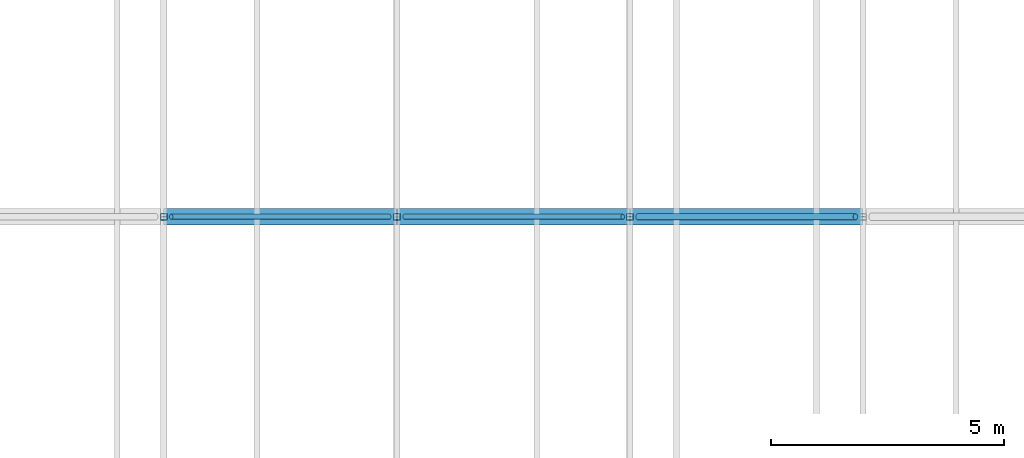
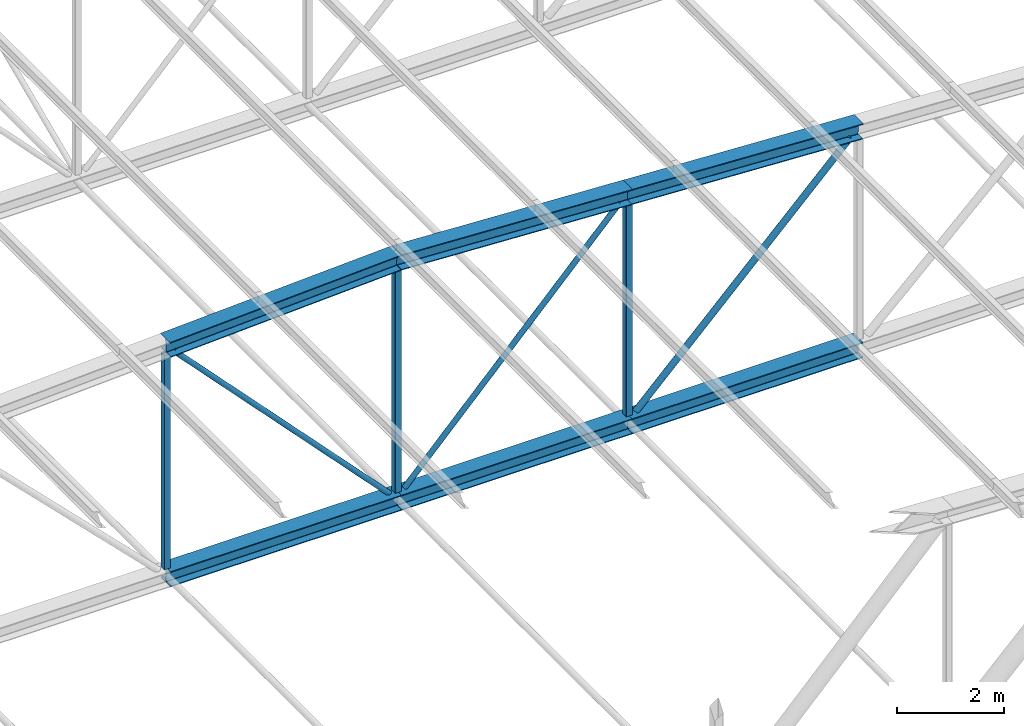
# One storey, part 94 of 156: 12 members.
"""IFC4 building model written with IfcOpenShell, lengths in metres."""

from ifc_helpers import new_model, si_unit, direction, frame, origin, origin_2d, place, context, subcontext, project, spatial, hollow_rectangle, hollow_circle, i_section, extrude, material, material_profile, profile_set, type_object, element, save


model = new_model("IFC4")

# Units and contexts
model_context = context("Model", 3, precision=1e-05, world=origin(), true_north=direction((0.0, 1.0)))
body_context = subcontext(model_context, "Body", "Model", "MODEL_VIEW")
ifc_project = project(units=[si_unit("LENGTHUNIT", "METRE"), si_unit("AREAUNIT", "SQUARE_METRE"), si_unit("VOLUMEUNIT", "CUBIC_METRE"), si_unit("PLANEANGLEUNIT", "RADIAN"), si_unit("MASSUNIT", "GRAM", prefix="KILO")], contexts=[model_context])

# Site, building, storey
site_placement = place(None, origin())
site = spatial("IfcSite", under=ifc_project, at=site_placement, CompositionType="ELEMENT")
building_placement = place(site_placement, origin())
building = spatial("IfcBuilding", under=site, at=building_placement, Name="Lilac Gate Convention Centre", CompositionType="ELEMENT")
storey_placement = place(building_placement, frame((0.0, 0.0, 17.0)))
storey = spatial("IfcBuildingStorey", under=building, at=storey_placement, Name="L03", CompositionType="ELEMENT", Elevation=17.0)

# Members
ifc_material = material(Name="Steel Q355B", Category="steel")
ifc_material_profile_1 = material_profile(ifc_material, i_section(OverallWidth=0.35693359375, OverallDepth=0.35009765625, WebThickness=0.01904296875, FlangeThickness=0.01904296875, FilletRadius=0.012939453125, at=origin_2d()), Name="HW350x357x19x19")
ifc_profile_set_1 = profile_set([ifc_material_profile_1], Name="Steel Q355B")
member_type_1 = type_object("IfcMemberType", Name="Truss bottom chord HW350x357x19x19", PredefinedType="CHORD", material=ifc_profile_set_1)
for number, where, z_axis, x_axis, name in (
    (1, (55.0, 162.0, 0.0), (1.0, 0.0, 0.0), (0.0, 1.0, 0.0), "TB3 truss 12 bottom chord 6"),
    (2, (60.0, 162.0, 0.0), (1.0, 0.0, 0.0), (0.0, 1.0, 0.0), "TB3 truss 12 bottom chord 7"),
    (3, (65.0, 162.0, 0.0), (1.0, 0.0, 0.0), (0.0, 1.0, 0.0), "TB3 truss 12 bottom chord 8"),
):
    element("IfcMember", number, at=place(storey_placement, frame(where, z_axis=z_axis, x_axis=x_axis)), inside=storey, type_object=member_type_1, Name=name, PredefinedType="CHORD", context=body_context, shape_type="SweptSolid", body=[
        extrude(i_section(OverallWidth=0.35693359375, OverallDepth=0.35009765625, WebThickness=0.01904296875, FlangeThickness=0.01904296875, FilletRadius=0.012939453125, at=origin_2d()), origin(), (0.0, 0.0, 1.0), 5.0),
    ])
ifc_material_profile_2 = material_profile(ifc_material, hollow_circle(Radius=0.05712890625, WallThickness=0.0048828125, at=origin_2d()), Name="CHS114.3x5")
ifc_profile_set_2 = profile_set([ifc_material_profile_2], Name="Steel Q355B")
member_type_2 = type_object("IfcMemberType", Name="Truss diagonal CHS114.3x5", PredefinedType="BRACE", material=ifc_profile_set_2)
for number, where, z_axis, x_axis, name in (
    (4, (55.156494140625, 162.0, 5.085693359375), (0.6896515765, 0.0, -0.724141355697), (0.0, 1.0, 0.0), "TW6 truss 12 diagonal 6"),
    (5, (64.843505859375, 162.0, 5.085693359375), (-0.6896515765, 0.0, -0.724141355697), (0.0, -1.0, 0.0), "TW6 truss 12 diagonal 7"),
):
    element("IfcMember", number, at=place(storey_placement, frame(where, z_axis=z_axis, x_axis=x_axis)), inside=storey, type_object=member_type_2, Name=name, PredefinedType="BRACE", context=body_context, shape_type="SweptSolid", body=[
        extrude(hollow_circle(Radius=0.05712890625, WallThickness=0.0048828125, at=origin_2d()), origin(), (0.0, 0.0, 1.0), 6.78125),
    ])
ifc_material_profile_3 = material_profile(ifc_material, hollow_circle(Radius=0.06982421875, WallThickness=0.006103515625, at=origin_2d()), Name="CHS139.7x6")
ifc_profile_set_3 = profile_set([ifc_material_profile_3], Name="Steel Q355B")
member_type_3 = type_object("IfcMemberType", Name="Truss diagonal CHS139.7x6", PredefinedType="BRACE", material=ifc_profile_set_3)
member_1_placement = place(storey_placement, frame((69.835693359375, 162.0, 4.835693359375), z_axis=(-0.707106781187, 0.0, -0.707106781187), x_axis=(0.0, -1.0, 0.0)))
element("IfcMember", 6, at=member_1_placement, inside=storey, type_object=member_type_3, Name="TW5 truss 12 diagonal 8", PredefinedType="BRACE", context=body_context, shape_type="SweptSolid", body=[
    extrude(hollow_circle(Radius=0.06982421875, WallThickness=0.006103515625, at=origin_2d()), origin(), (0.0, 0.0, 1.0), 6.591064453125),
])
ifc_material_profile_4 = material_profile(ifc_material, i_section(OverallWidth=0.35009765625, OverallDepth=0.35009765625, WebThickness=0.011962890625, FlangeThickness=0.01904296875, FilletRadius=0.012939453125, at=origin_2d()), Name="HW350x350x12x19")
ifc_profile_set_4 = profile_set([ifc_material_profile_4], Name="Steel Q355B")
member_type_4 = type_object("IfcMemberType", Name="Truss top chord HW350x350x12x19", PredefinedType="CHORD", material=ifc_profile_set_4)
member_2_placement = place(storey_placement, frame((65.0, 162.0, 5.25), z_axis=(0.998752338878, 0.0, -0.049937616944), x_axis=(0.0, 1.0, 0.0)))
element("IfcMember", 7, at=member_2_placement, inside=storey, type_object=member_type_4, Name="TT2 truss 12 top chord 8", PredefinedType="CHORD", context=body_context, shape_type="SweptSolid", body=[
    extrude(i_section(OverallWidth=0.35009765625, OverallDepth=0.35009765625, WebThickness=0.011962890625, FlangeThickness=0.01904296875, FilletRadius=0.012939453125, at=origin_2d()), origin(), (0.0, 0.0, 1.0), 5.00634765625),
])
ifc_material_profile_5 = material_profile(ifc_material, i_section(OverallWidth=0.35693359375, OverallDepth=0.35009765625, WebThickness=0.01904296875, FlangeThickness=0.01904296875, FilletRadius=0.012939453125, at=origin_2d()), Name="HW350x357x19x19")
ifc_profile_set_5 = profile_set([ifc_material_profile_5], Name="Steel Q355B")
member_type_5 = type_object("IfcMemberType", Name="Truss top chord HW350x357x19x19", PredefinedType="CHORD", material=ifc_profile_set_5)
for number, where, z_axis, x_axis, name in (
    (8, (55.0, 162.0, 5.25), (0.998752338878, 0.0, 0.049937616944), (0.0, 1.0, 0.0), "TT3 truss 12 top chord 6"),
    (9, (60.0, 162.0, 5.5), (0.998752338878, 0.0, -0.049937616944), (0.0, 1.0, 0.0), "TT3 truss 12 top chord 7"),
):
    element("IfcMember", number, at=place(storey_placement, frame(where, z_axis=z_axis, x_axis=x_axis)), inside=storey, type_object=member_type_5, Name=name, PredefinedType="CHORD", context=body_context, shape_type="SweptSolid", body=[
        extrude(i_section(OverallWidth=0.35693359375, OverallDepth=0.35009765625, WebThickness=0.01904296875, FlangeThickness=0.01904296875, FilletRadius=0.012939453125, at=origin_2d()), origin(), (0.0, 0.0, 1.0), 5.00634765625),
    ])
ifc_material_profile_6 = material_profile(ifc_material, hollow_rectangle(XDim=0.139892578125, YDim=0.139892578125, WallThickness=0.0048828125, InnerFilletRadius=0.0048828125, OuterFilletRadius=0.010009765625, at=origin_2d()), Name="SHS140x140x5")
ifc_profile_set_6 = profile_set([ifc_material_profile_6], Name="Steel Q355B")
member_type_6 = type_object("IfcMemberType", Name="Truss vertical SHS140x140x5", PredefinedType="STRUT", material=ifc_profile_set_6)
member_3_placement = place(storey_placement, frame((55.0, 162.0, 0.175048828125), z_axis=(0.0, 0.0, 1.0), x_axis=(1.0, 0.0, 0.0)))
element("IfcMember", 10, at=member_3_placement, inside=storey, type_object=member_type_6, Name="TV4 truss 12 vertical 6", PredefinedType="STRUT", context=body_context, shape_type="SweptSolid", body=[
    extrude(hollow_rectangle(XDim=0.139892578125, YDim=0.139892578125, WallThickness=0.0048828125, InnerFilletRadius=0.0048828125, OuterFilletRadius=0.010009765625, at=origin_2d()), origin(), (0.0, 0.0, 1.0), 4.899658203125),
])
member_4_placement = place(storey_placement, frame((60.0, 162.0, 0.175048828125), z_axis=(0.0, 0.0, 1.0), x_axis=(1.0, 0.0, 0.0)))
element("IfcMember", 11, at=member_4_placement, inside=storey, type_object=member_type_6, Name="TV4 truss 12 vertical 7", PredefinedType="STRUT", context=body_context, shape_type="SweptSolid", body=[
    extrude(hollow_rectangle(XDim=0.139892578125, YDim=0.139892578125, WallThickness=0.0048828125, InnerFilletRadius=0.0048828125, OuterFilletRadius=0.010009765625, at=origin_2d()), origin(), (0.0, 0.0, 1.0), 5.149658203125),
])
member_5_placement = place(storey_placement, frame((65.0, 162.0, 0.175048828125), z_axis=(0.0, 0.0, 1.0), x_axis=(1.0, 0.0, 0.0)))
element("IfcMember", 12, at=member_5_placement, inside=storey, type_object=member_type_6, Name="TV4 truss 12 vertical 8", PredefinedType="STRUT", context=body_context, shape_type="SweptSolid", body=[
    extrude(hollow_rectangle(XDim=0.139892578125, YDim=0.139892578125, WallThickness=0.0048828125, InnerFilletRadius=0.0048828125, OuterFilletRadius=0.010009765625, at=origin_2d()), origin(), (0.0, 0.0, 1.0), 4.899658203125),
])

save(model, "model.ifc")
